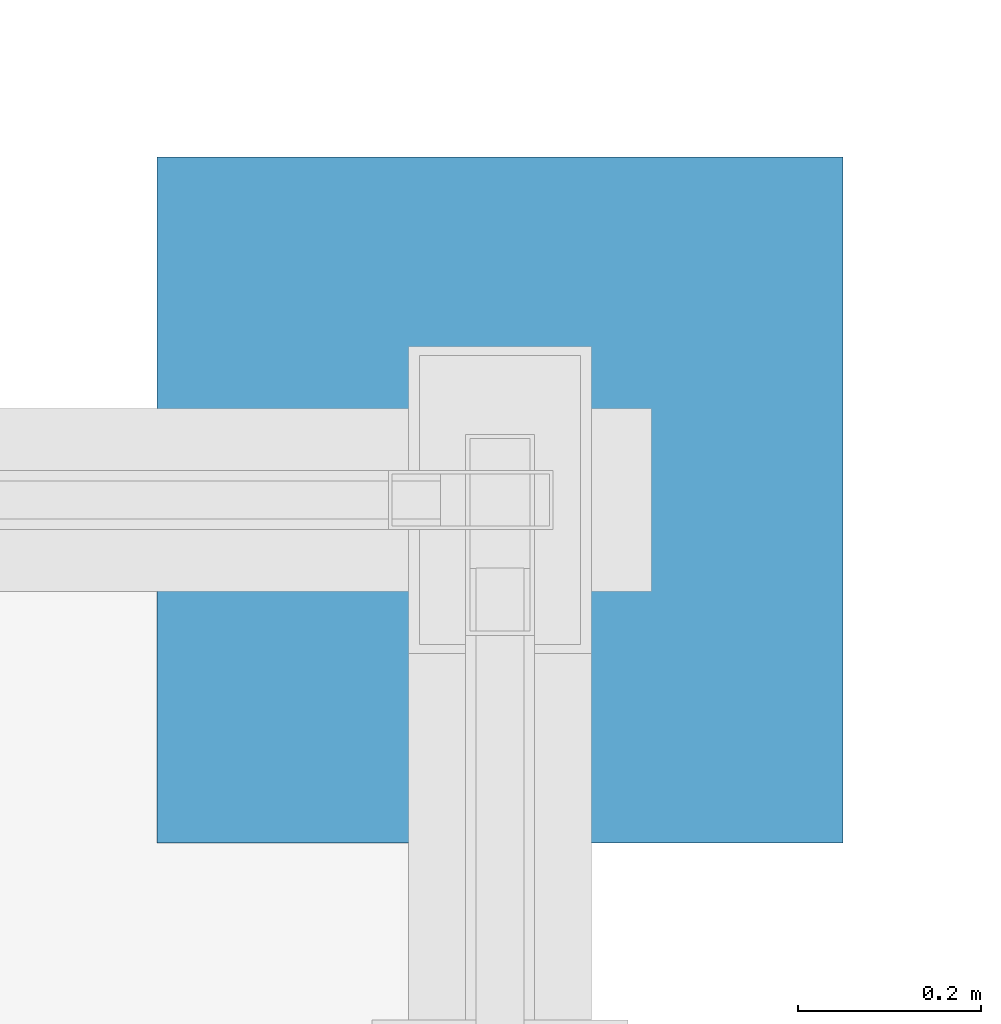
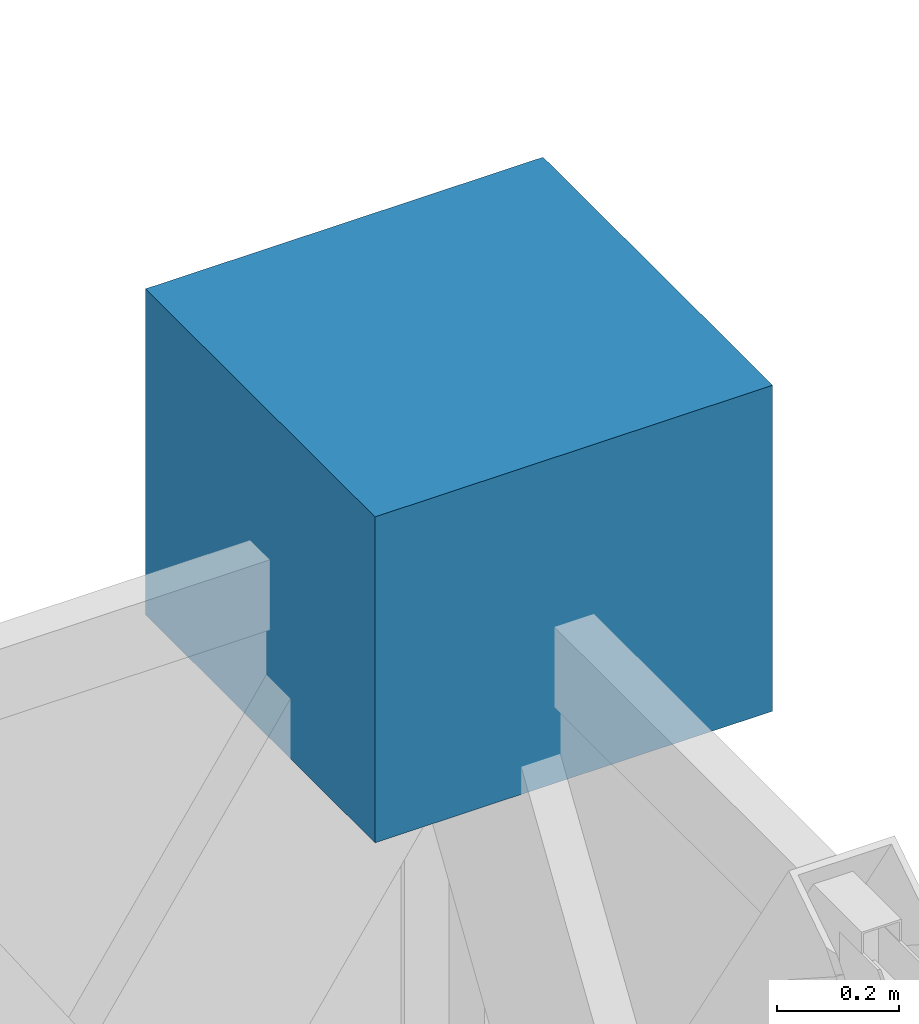
# One storey, part 139 of 155: 1 discrete accessory.
"""IFC4 building model written with IfcOpenShell, lengths in metres."""

from ifc_helpers import new_model, si_unit, direction, frame, origin, origin_2d, place, context, subcontext, project, spatial, rectangle, extrude, material, type_object, element, save


model = new_model("IFC4")

# Units and contexts
model_context = context("Model", 3, precision=1e-05, world=origin(), true_north=direction((0.0, 1.0)))
body_context = subcontext(model_context, "Body", "Model", "MODEL_VIEW")
ifc_project = project(units=[si_unit("LENGTHUNIT", "METRE"), si_unit("AREAUNIT", "SQUARE_METRE"), si_unit("VOLUMEUNIT", "CUBIC_METRE"), si_unit("PLANEANGLEUNIT", "RADIAN"), si_unit("MASSUNIT", "GRAM", prefix="KILO")], contexts=[model_context])

# Site, building, storey
site_placement = place(None, origin())
site = spatial("IfcSite", under=ifc_project, at=site_placement, CompositionType="ELEMENT")
building_placement = place(site_placement, origin())
building = spatial("IfcBuilding", under=site, at=building_placement, Name="Haizhuo Lancet Aquarium", CompositionType="ELEMENT")
storey_placement = place(building_placement, frame((0.0, 0.0, 10.800048828125)))
storey = spatial("IfcBuildingStorey", under=building, at=storey_placement, Name="L02", CompositionType="ELEMENT", Elevation=10.800048828125)

# Discrete accessory
ifc_material = material(Name="Steel S355", Category="steel")
discrete_accessory_type = type_object("IfcDiscreteAccessoryType", Name="ACC-END-CAP", PredefinedType="BRACKET", material=ifc_material)
discrete_accessory_placement = place(storey_placement, frame((27.0, 54.0, 4.125), z_axis=(0.0, 0.0, 1.0), x_axis=(1.0, 0.0, 0.0)))
element("IfcDiscreteAccessory", 1, at=discrete_accessory_placement, inside=storey, type_object=discrete_accessory_type, material=ifc_material, Name="L02 welded Steel S355 brace end-cap bracket EC-V5-L02-E", PredefinedType="BRACKET", context=body_context, shape_type="SweptSolid", body=[
    extrude(rectangle(XDim=0.75, YDim=0.75, at=origin_2d()), origin(), (0.0, 0.0, 1.0), 0.64990234375),
])

save(model, "model.ifc")
